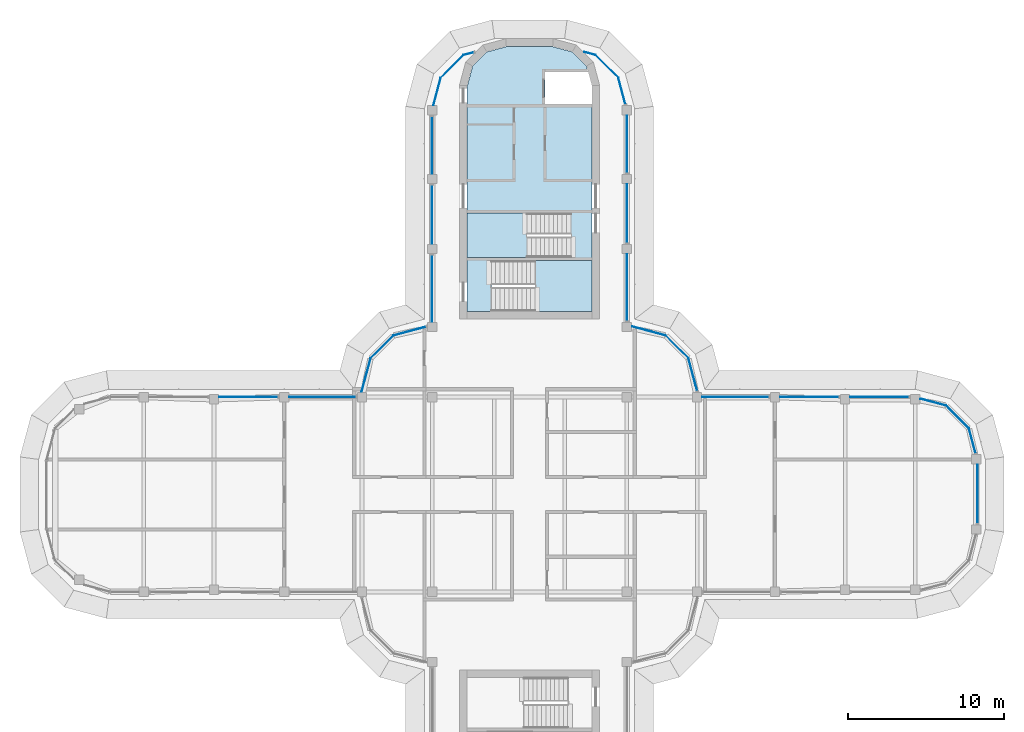
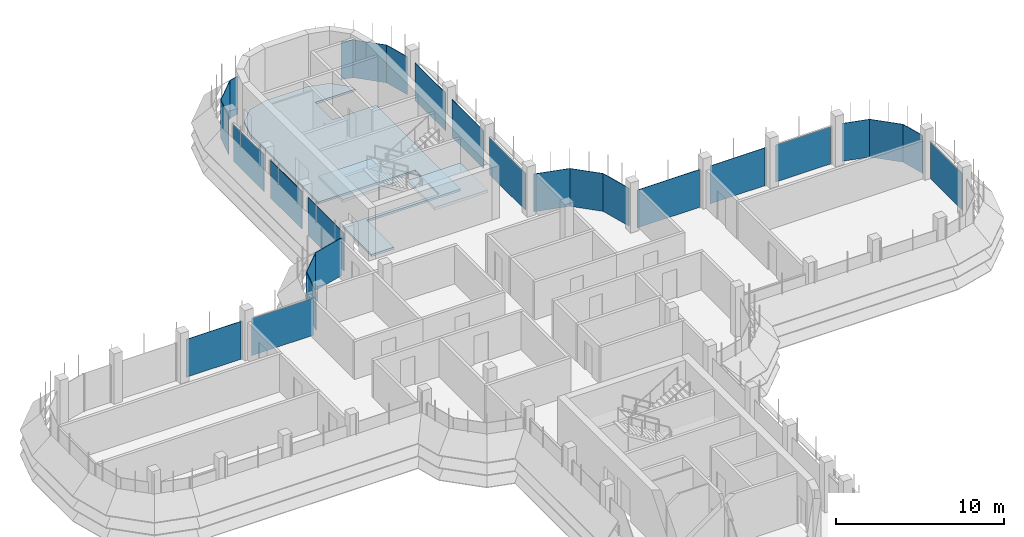
# One storey, part 12 of 19: 27 plates, 3 slabs, 22 elements without a shape of their own.
"""IFC4 building model written with IfcOpenShell, lengths in metres."""

from ifc_helpers import new_model, si_unit, direction, frame, origin, place, context, subcontext, project, spatial, polyline, outline, extrude, source, transform, mapped, material, layer, layer_set, type_object, element, aggregate, save


model = new_model("IFC4")

# Units and contexts
model_context = context("Model", 3, precision=1e-05, world=origin(), true_north=direction((0.0, 1.0)))
body_context = subcontext(model_context, "Body", "Model", "MODEL_VIEW")
ifc_project = project(units=[si_unit("LENGTHUNIT", "METRE"), si_unit("AREAUNIT", "SQUARE_METRE"), si_unit("VOLUMEUNIT", "CUBIC_METRE"), si_unit("PLANEANGLEUNIT", "RADIAN"), si_unit("MASSUNIT", "GRAM", prefix="KILO")], contexts=[model_context])

# Site, building, storey
site_placement = place(None, origin())
site = spatial("IfcSite", under=ifc_project, at=site_placement, CompositionType="ELEMENT")
building_placement = place(site_placement, origin())
building = spatial("IfcBuilding", under=site, at=building_placement, Name="Zarbagh Exchange Tower", CompositionType="ELEMENT")
storey_placement = place(building_placement, frame((0.0, 0.0, 272.60009765625)))
storey = spatial("IfcBuildingStorey", under=building, at=storey_placement, Name="L67", CompositionType="ELEMENT", Elevation=272.60009765625)

# Slab
ifc_material_1 = material(Name="Concrete C40/50", Category="concrete")
ifc_layer_1 = layer(ifc_material_1, 0.14990234375)
ifc_layer_set_1 = layer_set([ifc_layer_1], Name="Core floor slab 150 C40/50")
slab_type_1 = type_object("IfcSlabType", Name="Core floor slab 150 C40/50", PredefinedType="FLOOR", material=ifc_layer_set_1)
slab_1_placement = place(storey_placement, frame((0.0, 0.0, -0.150146484375)))
element("IfcSlab", 1, at=slab_1_placement, inside=storey, type_object=slab_type_1, Name="S17 core N", PredefinedType="FLOOR", context=body_context, shape_type="SweptSolid", body=[
    extrude(outline(polyline([(-4.0, 11.75), (-4.0, 15.199951171875), (2.64990234375, 15.199951171875), (2.64990234375, 18.050048828125), (-4.0, 18.050048828125), (-4.0, 26.18408203125), (-3.64990234375, 27.4912109375), (-2.7412109375, 28.39990234375), (-1.43408203125, 28.75), (1.43408203125, 28.75), (2.7412109375, 28.39990234375), (3.64990234375, 27.4912109375), (3.857666015625, 26.715087890625), (3.754638671875, 27.10009765625), (1.0, 27.10009765625), (1.0, 25.050048828125), (4.0, 25.050048828125), (4.0, 15.0), (-2.449951171875, 15.0), (-2.449951171875, 11.75), (-4.0, 11.75)])), origin(), (0.0, 0.0, 1.0), 0.150146484375),
])

# Stair, slab
stair_type = type_object("IfcStairType", Name="Exit stair two-flight half-turn", PredefinedType="HALF_TURN_STAIR", material=ifc_material_1)
stair_1_placement = place(storey_placement, origin())
stair_1 = element("IfcStair", 2, at=stair_1_placement, inside=storey, type_object=stair_type, Name="exit stair ST1", PredefinedType="HALF_TURN_STAIR")
ifc_layer_2 = layer(ifc_material_1, 0.199951171875)
ifc_layer_set_2 = layer_set([ifc_layer_2], Name="Stair landing 200 mm")
slab_type_2 = type_object("IfcSlabType", Name="Stair landing 200 mm", PredefinedType="LANDING", material=ifc_layer_set_2)
slab_2_placement = place(storey_placement, frame((0.0, 0.0, 1.699951171875)))
slab_2 = element("IfcSlab", 3, at=slab_2_placement, type_object=slab_type_2, Name="ST1 landing 1", PredefinedType="LANDING", context=body_context, shape_type="SweptSolid", body=[
    extrude(outline(polyline([(-0.14990234375, 18.050048828125), (-4.0, 18.050048828125), (-4.0, 15.199951171875), (-0.14990234375, 15.199951171875), (-0.14990234375, 18.050048828125)])), origin(), (0.0, 0.0, 1.0), 0.199951171875),
])
aggregate(stair_1, [slab_2])

stair_2_placement = place(storey_placement, origin())
stair_2 = element("IfcStair", 4, at=stair_2_placement, inside=storey, type_object=stair_type, Name="exit stair ST2", PredefinedType="HALF_TURN_STAIR")
slab_3_placement = place(storey_placement, frame((0.0, 0.0, 1.699951171875)))
slab_3 = element("IfcSlab", 5, at=slab_3_placement, type_object=slab_type_2, Name="ST2 landing 1", PredefinedType="LANDING", context=body_context, shape_type="SweptSolid", body=[
    extrude(outline(polyline([(0.35009765625, 11.75), (4.0, 11.75), (4.0, 15.0), (0.35009765625, 15.0), (0.35009765625, 11.75)])), origin(), (0.0, 0.0, 1.0), 0.199951171875),
])
aggregate(stair_2, [slab_3])

# Curtain wall, plate
ifc_material_2 = material(Name="Anodised aluminium frame and glazing", Category="aluminium")
curtain_wall_type = type_object("IfcCurtainWallType", Name="CWB Ribbon glazing, upper zones", PredefinedType="NOTDEFINED", material=ifc_material_2)
curtain_wall_1_placement = place(storey_placement, origin())
curtain_wall_1 = element("IfcCurtainWall", 6, at=curtain_wall_1_placement, inside=storey, type_object=curtain_wall_type, Name="CWB80 curtain wall", PredefinedType="NOTDEFINED")
ifc_material_3 = material(Name="Low-e double glazed unit, 6+12+6 mm")
ifc_layer_3 = layer(ifc_material_3, 0.031982421875)
ifc_layer_set_3 = layer_set([ifc_layer_3], Name="PAB Glazing panel, Low-e double glazed unit, 6+12+6 mm")
plate_type = type_object("IfcPlateType", Name="PAB Glazing panel, Low-e double glazed unit, 6+12+6 mm", PredefinedType="CURTAIN_PANEL", material=ifc_layer_set_3)
shared_shape_1 = source(origin(), body_context, "Body", "SweptSolid", [
    extrude(outline(polyline([(0.0, -0.01611328125), (2.061279296875, -0.01611328125), (2.061279296875, 0.01611328125), (0.0, 0.01611328125), (0.0, -0.01611328125)])), origin(), (0.0, 0.0, 1.0), 2.75),
])
placement = place(storey_placement, origin())
plate_1 = element("IfcPlate", 7, at=placement, type_object=plate_type, Name="CWB80 glazing panel 1.1", PredefinedType="CURTAIN_PANEL", context=body_context, shape_type="MappedRepresentation", body=[
    mapped(shared_shape_1, transform((28.19873046875, 4.2412109375, 0.0), x_axis=(-0.707106781187, 0.707106781187, 0.0), y_axis=(-0.707106781187, -0.707106781187, 0.0), z_axis=(0.0, 0.0, 1.0))),
])
aggregate(curtain_wall_1, [plate_1])

curtain_wall_2_placement = place(storey_placement, origin())
curtain_wall_2 = element("IfcCurtainWall", 8, at=curtain_wall_2_placement, inside=storey, type_object=curtain_wall_type, Name="CWB18 curtain wall", PredefinedType="NOTDEFINED")
plate_2 = element("IfcPlate", 9, at=placement, type_object=plate_type, Name="CWB18 glazing panel 1.1", PredefinedType="CURTAIN_PANEL", context=body_context, shape_type="MappedRepresentation", body=[
    mapped(shared_shape_1, transform((10.19873046875, 8.7412109375, 0.0), x_axis=(-0.707106781187, 0.707106781187, 0.0), y_axis=(-0.707106781187, -0.707106781187, 0.0), z_axis=(0.0, 0.0, 1.0))),
])
aggregate(curtain_wall_2, [plate_2])

curtain_wall_3_placement = place(storey_placement, origin())
curtain_wall_3 = element("IfcCurtainWall", 10, at=curtain_wall_3_placement, inside=storey, type_object=curtain_wall_type, Name="CWB74 curtain wall", PredefinedType="NOTDEFINED")
plate_3 = element("IfcPlate", 11, at=placement, type_object=plate_type, Name="CWB74 glazing panel 1.1", PredefinedType="CURTAIN_PANEL", context=body_context, shape_type="MappedRepresentation", body=[
    mapped(shared_shape_1, transform((5.69873046875, 26.7412109375, 0.0), x_axis=(-0.707106781187, 0.707106781187, 0.0), y_axis=(-0.707106781187, -0.707106781187, 0.0), z_axis=(0.0, 0.0, 1.0))),
])
aggregate(curtain_wall_3, [plate_3])

curtain_wall_4_placement = place(storey_placement, origin())
curtain_wall_4 = element("IfcCurtainWall", 12, at=curtain_wall_4_placement, inside=storey, type_object=curtain_wall_type, Name="CWB71 curtain wall", PredefinedType="NOTDEFINED")
plate_4 = element("IfcPlate", 13, at=placement, type_object=plate_type, Name="CWB71 glazing panel 1.1", PredefinedType="CURTAIN_PANEL", context=body_context, shape_type="MappedRepresentation", body=[
    mapped(shared_shape_1, transform((-4.2412109375, 28.19873046875, 0.0), x_axis=(-0.707106781187, -0.707106781187, 0.0), y_axis=(0.707106781187, -0.707106781187, 0.0), z_axis=(0.0, 0.0, 1.0))),
])
aggregate(curtain_wall_4, [plate_4])

curtain_wall_5_placement = place(storey_placement, origin())
curtain_wall_5 = element("IfcCurtainWall", 14, at=curtain_wall_5_placement, inside=storey, type_object=curtain_wall_type, Name="CWB30 curtain wall", PredefinedType="NOTDEFINED")
plate_5 = element("IfcPlate", 15, at=placement, type_object=plate_type, Name="CWB30 glazing panel 1.1", PredefinedType="CURTAIN_PANEL", context=body_context, shape_type="MappedRepresentation", body=[
    mapped(shared_shape_1, transform((-8.7412109375, 10.19873046875, 0.0), x_axis=(-0.707106781187, -0.707106781187, 0.0), y_axis=(0.707106781187, -0.707106781187, 0.0), z_axis=(0.0, 0.0, 1.0))),
])
aggregate(curtain_wall_5, [plate_5])

curtain_wall_6_placement = place(storey_placement, origin())
curtain_wall_6 = element("IfcCurtainWall", 16, at=curtain_wall_6_placement, inside=storey, type_object=curtain_wall_type, Name="CWB81 curtain wall", PredefinedType="NOTDEFINED")
shared_shape_2 = source(origin(), body_context, "Body", "SweptSolid", [
    extrude(outline(polyline([(0.0, -0.01611328125), (1.70947265625, -0.01611328125), (1.70947265625, 0.01611328125), (0.0, 0.01611328125), (0.0, -0.01611328125)])), origin(), (0.0, 0.0, 1.0), 2.75),
])
plate_6 = element("IfcPlate", 17, at=placement, type_object=plate_type, Name="CWB81 glazing panel 1.1", PredefinedType="CURTAIN_PANEL", context=body_context, shape_type="MappedRepresentation", body=[
    mapped(shared_shape_2, transform((26.7412109375, 5.69873046875, 0.0), x_axis=(-0.965924289636, 0.258824779902, 0.0), y_axis=(-0.258824779902, -0.965924289636, 0.0), z_axis=(0.0, 0.0, 1.0))),
])
aggregate(curtain_wall_6, [plate_6])

curtain_wall_7_placement = place(storey_placement, origin())
curtain_wall_7 = element("IfcCurtainWall", 18, at=curtain_wall_7_placement, inside=storey, type_object=curtain_wall_type, Name="CWB79 curtain wall", PredefinedType="NOTDEFINED")
shared_shape_3 = source(origin(), body_context, "Body", "SweptSolid", [
    extrude(outline(polyline([(0.0, -0.01611328125), (1.6494140625, -0.01611328125), (1.6494140625, 0.01611328125), (0.0, 0.01611328125), (0.0, -0.01611328125)])), origin(), (0.0, 0.0, 1.0), 2.75),
])
plate_7 = element("IfcPlate", 19, at=placement, type_object=plate_type, Name="CWB79 glazing panel 1.1", PredefinedType="CURTAIN_PANEL", context=body_context, shape_type="MappedRepresentation", body=[
    mapped(shared_shape_3, transform((28.625732421875, 2.64794921875, 0.0), x_axis=(-0.258824779902, 0.965924289636, 0.0), y_axis=(-0.965924289636, -0.258824779902, 0.0), z_axis=(0.0, 0.0, 1.0))),
])
aggregate(curtain_wall_7, [plate_7])

curtain_wall_8_placement = place(storey_placement, origin())
curtain_wall_8 = element("IfcCurtainWall", 20, at=curtain_wall_8_placement, inside=storey, type_object=curtain_wall_type, Name="CWB67 curtain wall", PredefinedType="NOTDEFINED")
shared_shape_4 = source(origin(), body_context, "Body", "SweptSolid", [
    extrude(outline(polyline([(0.0, -0.01611328125), (3.659912109375, -0.01611328125), (3.659912109375, 0.01611328125), (0.0, 0.01611328125), (0.0, -0.01611328125)])), origin(), (0.0, 0.0, 1.0), 2.75),
])
plate_8 = element("IfcPlate", 21, at=placement, type_object=plate_type, Name="CWB67 glazing panel 3.1", PredefinedType="CURTAIN_PANEL", context=body_context, shape_type="MappedRepresentation", body=[
    mapped(shared_shape_4, transform((6.25, 20.650146484375, 0.0), x_axis=(0.0, 1.0, 0.0), y_axis=(-1.0, 0.0, 0.0), z_axis=(0.0, 0.0, 1.0))),
])

curtain_wall_9_placement = place(storey_placement, origin())
curtain_wall_9 = element("IfcCurtainWall", 22, at=curtain_wall_9_placement, inside=storey, type_object=curtain_wall_type, Name="CWB69 curtain wall", PredefinedType="NOTDEFINED")
shared_shape_5 = source(origin(), body_context, "Body", "SweptSolid", [
    extrude(outline(polyline([(0.0, -0.01611328125), (0.757080078125, -0.01611328125), (0.757080078125, 0.01611328125), (0.0, 0.01611328125), (0.0, -0.01611328125)])), origin(), (0.0, 0.0, 1.0), 2.75),
])
plate_9 = element("IfcPlate", 23, at=placement, type_object=plate_type, Name="CWB69 glazing panel 1.1", PredefinedType="CURTAIN_PANEL", context=body_context, shape_type="MappedRepresentation", body=[
    mapped(shared_shape_5, transform((4.2412109375, 28.19873046875, 0.0), x_axis=(-0.965924289636, 0.258824779902, 0.0), y_axis=(-0.258824779902, -0.965924289636, 0.0), z_axis=(0.0, 0.0, 1.0))),
])
aggregate(curtain_wall_9, [plate_9])

curtain_wall_10_placement = place(storey_placement, origin())
curtain_wall_10 = element("IfcCurtainWall", 24, at=curtain_wall_10_placement, inside=storey, type_object=curtain_wall_type, Name="CWB70 curtain wall", PredefinedType="NOTDEFINED")
shared_shape_6 = source(origin(), body_context, "Body", "SweptSolid", [
    extrude(outline(polyline([(0.0, -0.01611328125), (0.697021484375, -0.01611328125), (0.697021484375, 0.01611328125), (0.0, 0.01611328125), (0.0, -0.01611328125)])), origin(), (0.0, 0.0, 1.0), 2.75),
])
plate_10 = element("IfcPlate", 25, at=placement, type_object=plate_type, Name="CWB70 glazing panel 1.1", PredefinedType="CURTAIN_PANEL", context=body_context, shape_type="MappedRepresentation", body=[
    mapped(shared_shape_6, transform((-3.56787109375, 28.379150390625, 0.0), x_axis=(-0.965924289636, -0.258824779902, 0.0), y_axis=(0.258824779902, -0.965924289636, 0.0), z_axis=(0.0, 0.0, 1.0))),
])
aggregate(curtain_wall_10, [plate_10])

curtain_wall_11_placement = place(storey_placement, origin())
curtain_wall_11 = element("IfcCurtainWall", 26, at=curtain_wall_11_placement, inside=storey, type_object=curtain_wall_type, Name="CWB72 curtain wall", PredefinedType="NOTDEFINED")
shared_shape_7 = source(origin(), body_context, "Body", "SweptSolid", [
    extrude(outline(polyline([(0.0, -0.01611328125), (1.81298828125, -0.01611328125), (1.81298828125, 0.01611328125), (0.0, 0.01611328125), (0.0, -0.01611328125)])), origin(), (0.0, 0.0, 1.0), 2.75),
])
plate_11 = element("IfcPlate", 27, at=placement, type_object=plate_type, Name="CWB72 glazing panel 1.1", PredefinedType="CURTAIN_PANEL", context=body_context, shape_type="MappedRepresentation", body=[
    mapped(shared_shape_7, transform((-5.69873046875, 26.7412109375, 0.0), x_axis=(-0.258824779902, -0.965924289636, 0.0), y_axis=(0.965924289636, -0.258824779902, 0.0), z_axis=(0.0, 0.0, 1.0))),
])
aggregate(curtain_wall_11, [plate_11])

curtain_wall_12_placement = place(storey_placement, origin())
curtain_wall_12 = element("IfcCurtainWall", 28, at=curtain_wall_12_placement, inside=storey, type_object=curtain_wall_type, Name="CWB82 curtain wall", PredefinedType="NOTDEFINED")
shared_shape_8 = source(origin(), body_context, "Body", "SweptSolid", [
    extrude(outline(polyline([(0.0, -0.01611328125), (3.760009765625, -0.01611328125), (3.760009765625, 0.01611328125), (0.0, 0.01611328125), (0.0, -0.01611328125)])), origin(), (0.0, 0.0, 1.0), 2.75),
])
plate_12 = element("IfcPlate", 29, at=placement, type_object=plate_type, Name="CWB82 glazing panel 2.1", PredefinedType="CURTAIN_PANEL", context=body_context, shape_type="MappedRepresentation", body=[
    mapped(shared_shape_8, transform((19.849853515625, 6.25, 0.0), x_axis=(-1.0, 0.0, 0.0), y_axis=(0.0, -1.0, 0.0), z_axis=(0.0, 0.0, 1.0))),
])

# Plate
plate_13 = element("IfcPlate", 30, at=placement, type_object=plate_type, Name="CWB67 glazing panel 2.1", PredefinedType="CURTAIN_PANEL", context=body_context, shape_type="MappedRepresentation", body=[
    mapped(shared_shape_8, transform((6.25, 16.150146484375, 0.0), x_axis=(0.0, 1.0, 0.0), y_axis=(-1.0, 0.0, 0.0), z_axis=(0.0, 0.0, 1.0))),
])

# Curtain wall, plate
curtain_wall_13_placement = place(storey_placement, origin())
curtain_wall_13 = element("IfcCurtainWall", 31, at=curtain_wall_13_placement, inside=storey, type_object=curtain_wall_type, Name="CWB73 curtain wall", PredefinedType="NOTDEFINED")
plate_14 = element("IfcPlate", 32, at=placement, type_object=plate_type, Name="CWB73 glazing panel 2.1", PredefinedType="CURTAIN_PANEL", context=body_context, shape_type="MappedRepresentation", body=[
    mapped(shared_shape_8, transform((-6.25, 19.849853515625, 0.0), x_axis=(0.0, -1.0, 0.0), y_axis=(1.0, 0.0, 0.0), z_axis=(0.0, 0.0, 1.0))),
])

curtain_wall_14_placement = place(storey_placement, origin())
curtain_wall_14 = element("IfcCurtainWall", 33, at=curtain_wall_14_placement, inside=storey, type_object=curtain_wall_type, Name="CWB58 curtain wall", PredefinedType="NOTDEFINED")
plate_15 = element("IfcPlate", 34, at=placement, type_object=plate_type, Name="CWB58 glazing panel 2.1", PredefinedType="CURTAIN_PANEL", context=body_context, shape_type="MappedRepresentation", body=[
    mapped(shared_shape_8, transform((-16.150146484375, 6.25, 0.0), x_axis=(-1.0, 0.0, 0.0), y_axis=(0.0, -1.0, 0.0), z_axis=(0.0, 0.0, 1.0))),
])

# Plate
shared_shape_9 = source(origin(), body_context, "Body", "SweptSolid", [
    extrude(outline(polyline([(0.0, -0.01611328125), (4.260009765625, -0.01611328125), (4.260009765625, 0.01611328125), (0.0, 0.01611328125), (0.0, -0.01611328125)])), origin(), (0.0, 0.0, 1.0), 2.75),
])
plate_16 = element("IfcPlate", 35, at=placement, type_object=plate_type, Name="CWB82 glazing panel 3.1", PredefinedType="CURTAIN_PANEL", context=body_context, shape_type="MappedRepresentation", body=[
    mapped(shared_shape_9, transform((15.349853515625, 6.25, 0.0), x_axis=(-1.0, 0.0, 0.0), y_axis=(0.0, -1.0, 0.0), z_axis=(0.0, 0.0, 1.0))),
])

plate_17 = element("IfcPlate", 36, at=placement, type_object=plate_type, Name="CWB73 glazing panel 3.1", PredefinedType="CURTAIN_PANEL", context=body_context, shape_type="MappedRepresentation", body=[
    mapped(shared_shape_9, transform((-6.25, 15.349853515625, 0.0), x_axis=(0.0, -1.0, 0.0), y_axis=(1.0, 0.0, 0.0), z_axis=(0.0, 0.0, 1.0))),
])

# Curtain wall, plate
curtain_wall_15_placement = place(storey_placement, origin())
curtain_wall_15 = element("IfcCurtainWall", 37, at=curtain_wall_15_placement, inside=storey, type_object=curtain_wall_type, Name="CWB17 curtain wall", PredefinedType="NOTDEFINED")
shared_shape_10 = source(origin(), body_context, "Body", "SweptSolid", [
    extrude(outline(polyline([(0.0, -0.01611328125), (2.1669921875, -0.01611328125), (2.1669921875, 0.01611328125), (0.0, 0.01611328125), (0.0, -0.01611328125)])), origin(), (0.0, 0.0, 1.0), 2.75),
])
plate_18 = element("IfcPlate", 38, at=placement, type_object=plate_type, Name="CWB17 glazing panel 1.1", PredefinedType="CURTAIN_PANEL", context=body_context, shape_type="MappedRepresentation", body=[
    mapped(shared_shape_10, transform((10.759765625, 6.64794921875, 0.0), x_axis=(-0.258824779902, 0.965924289636, 0.0), y_axis=(-0.965924289636, -0.258824779902, 0.0), z_axis=(0.0, 0.0, 1.0))),
])
aggregate(curtain_wall_15, [plate_18])

curtain_wall_16_placement = place(storey_placement, origin())
curtain_wall_16 = element("IfcCurtainWall", 39, at=curtain_wall_16_placement, inside=storey, type_object=curtain_wall_type, Name="CWB29 curtain wall", PredefinedType="NOTDEFINED")
plate_19 = element("IfcPlate", 40, at=placement, type_object=plate_type, Name="CWB29 glazing panel 1.1", PredefinedType="CURTAIN_PANEL", context=body_context, shape_type="MappedRepresentation", body=[
    mapped(shared_shape_10, transform((-6.64794921875, 10.759765625, 0.0), x_axis=(-0.965924289636, -0.258824779902, 0.0), y_axis=(0.258824779902, -0.965924289636, 0.0), z_axis=(0.0, 0.0, 1.0))),
])
aggregate(curtain_wall_16, [plate_19])

curtain_wall_17_placement = place(storey_placement, origin())
curtain_wall_17 = element("IfcCurtainWall", 41, at=curtain_wall_17_placement, inside=storey, type_object=curtain_wall_type, Name="CWB19 curtain wall", PredefinedType="NOTDEFINED")
shared_shape_11 = source(origin(), body_context, "Body", "SweptSolid", [
    extrude(outline(polyline([(0.0, -0.01611328125), (2.22705078125, -0.01611328125), (2.22705078125, 0.01611328125), (0.0, 0.01611328125), (0.0, -0.01611328125)])), origin(), (0.0, 0.0, 1.0), 2.75),
])
plate_20 = element("IfcPlate", 42, at=placement, type_object=plate_type, Name="CWB19 glazing panel 1.1", PredefinedType="CURTAIN_PANEL", context=body_context, shape_type="MappedRepresentation", body=[
    mapped(shared_shape_11, transform((8.7412109375, 10.19873046875, 0.0), x_axis=(-0.965924289636, 0.258824779902, 0.0), y_axis=(-0.258824779902, -0.965924289636, 0.0), z_axis=(0.0, 0.0, 1.0))),
])
aggregate(curtain_wall_17, [plate_20])

curtain_wall_18_placement = place(storey_placement, origin())
curtain_wall_18 = element("IfcCurtainWall", 43, at=curtain_wall_18_placement, inside=storey, type_object=curtain_wall_type, Name="CWB31 curtain wall", PredefinedType="NOTDEFINED")
plate_21 = element("IfcPlate", 44, at=placement, type_object=plate_type, Name="CWB31 glazing panel 1.1", PredefinedType="CURTAIN_PANEL", context=body_context, shape_type="MappedRepresentation", body=[
    mapped(shared_shape_11, transform((-10.19873046875, 8.7412109375, 0.0), x_axis=(-0.258824779902, -0.965924289636, 0.0), y_axis=(0.965924289636, -0.258824779902, 0.0), z_axis=(0.0, 0.0, 1.0))),
])
aggregate(curtain_wall_18, [plate_21])

# Plate
shared_shape_12 = source(origin(), body_context, "Body", "SweptSolid", [
    extrude(outline(polyline([(0.0, -0.01611328125), (4.260009765625, -0.01611328125), (4.260009765625, 0.01611328125), (0.0, 0.01611328125), (0.0, -0.01611328125)])), origin(), (0.0, 0.0, 1.0), 2.68994140625),
])
plate_22 = element("IfcPlate", 45, at=placement, type_object=plate_type, Name="CWB67 glazing panel 1.1", PredefinedType="CURTAIN_PANEL", context=body_context, shape_type="MappedRepresentation", body=[
    mapped(shared_shape_12, transform((6.25, 11.150146484375, 0.0), x_axis=(0.0, 1.0, 0.0), y_axis=(-1.0, 0.0, 0.0), z_axis=(0.0, 0.0, 1.0))),
])

aggregate(curtain_wall_8, [plate_22, plate_13, plate_8])

plate_23 = element("IfcPlate", 46, at=placement, type_object=plate_type, Name="CWB58 glazing panel 1.1", PredefinedType="CURTAIN_PANEL", context=body_context, shape_type="MappedRepresentation", body=[
    mapped(shared_shape_12, transform((-11.150146484375, 6.25, 0.0), x_axis=(-1.0, 0.0, 0.0), y_axis=(0.0, -1.0, 0.0), z_axis=(0.0, 0.0, 1.0))),
])

aggregate(curtain_wall_14, [plate_23, plate_15])

# Curtain wall, plate
curtain_wall_19_placement = place(storey_placement, origin())
curtain_wall_19 = element("IfcCurtainWall", 47, at=curtain_wall_19_placement, inside=storey, type_object=curtain_wall_type, Name="CWB83 curtain wall", PredefinedType="NOTDEFINED")
shared_shape_13 = source(origin(), body_context, "Body", "SweptSolid", [
    extrude(outline(polyline([(0.0, -0.01611328125), (3.760009765625, -0.01611328125), (3.760009765625, 0.01611328125), (0.0, 0.01611328125), (0.0, -0.01611328125)])), origin(), (0.0, 0.0, 1.0), 2.68994140625),
])
plate_24 = element("IfcPlate", 48, at=placement, type_object=plate_type, Name="CWB83 glazing panel 1.1", PredefinedType="CURTAIN_PANEL", context=body_context, shape_type="MappedRepresentation", body=[
    mapped(shared_shape_13, transform((28.75, -1.849853515625, 0.0), x_axis=(0.0, 1.0, 0.0), y_axis=(-1.0, 0.0, 0.0), z_axis=(0.0, 0.0, 1.0))),
])
aggregate(curtain_wall_19, [plate_24])

# Plate
plate_25 = element("IfcPlate", 49, at=placement, type_object=plate_type, Name="CWB82 glazing panel 1.1", PredefinedType="CURTAIN_PANEL", context=body_context, shape_type="MappedRepresentation", body=[
    mapped(shared_shape_13, transform((24.349853515625, 6.25, 0.0), x_axis=(-1.0, 0.0, 0.0), y_axis=(0.0, -1.0, 0.0), z_axis=(0.0, 0.0, 1.0))),
])

aggregate(curtain_wall_12, [plate_25, plate_12, plate_16])

# Curtain wall, plate
curtain_wall_20_placement = place(storey_placement, origin())
curtain_wall_20 = element("IfcCurtainWall", 50, at=curtain_wall_20_placement, inside=storey, type_object=curtain_wall_type, Name="CWB68 curtain wall", PredefinedType="NOTDEFINED")
shared_shape_14 = source(origin(), body_context, "Body", "SweptSolid", [
    extrude(outline(polyline([(0.0, -0.01611328125), (1.7529296875, -0.01611328125), (1.7529296875, 0.01611328125), (0.0, 0.01611328125), (0.0, -0.01611328125)])), origin(), (0.0, 0.0, 1.0), 2.75),
])
plate_26 = element("IfcPlate", 51, at=placement, type_object=plate_type, Name="CWB68 glazing panel 1.1", PredefinedType="CURTAIN_PANEL", context=body_context, shape_type="MappedRepresentation", body=[
    mapped(shared_shape_14, transform((6.152587890625, 25.0478515625, 0.0), x_axis=(-0.258824779902, 0.965924289636, 0.0), y_axis=(-0.965924289636, -0.258824779902, 0.0), z_axis=(0.0, 0.0, 1.0))),
])
aggregate(curtain_wall_20, [plate_26])

# Plate
shared_shape_15 = source(origin(), body_context, "Body", "SweptSolid", [
    extrude(outline(polyline([(0.0, -0.01611328125), (3.659912109375, -0.01611328125), (3.659912109375, 0.01611328125), (0.0, 0.01611328125), (0.0, -0.01611328125)])), origin(), (0.0, 0.0, 1.0), 2.68994140625),
])
plate_27 = element("IfcPlate", 52, at=placement, type_object=plate_type, Name="CWB73 glazing panel 1.1", PredefinedType="CURTAIN_PANEL", context=body_context, shape_type="MappedRepresentation", body=[
    mapped(shared_shape_15, transform((-6.25, 24.25, 0.0), x_axis=(0.0, -1.0, 0.0), y_axis=(1.0, 0.0, 0.0), z_axis=(0.0, 0.0, 1.0))),
])

aggregate(curtain_wall_13, [plate_27, plate_14, plate_17])

save(model, "model.ifc")
